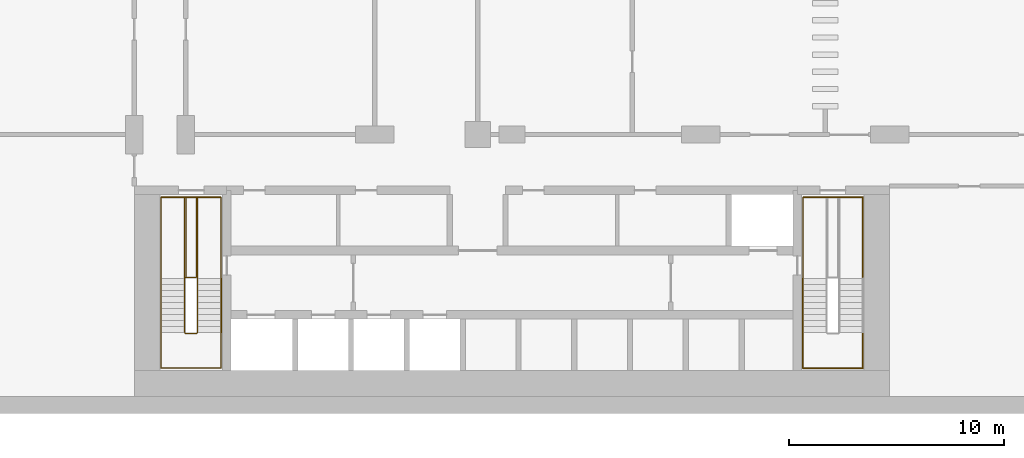
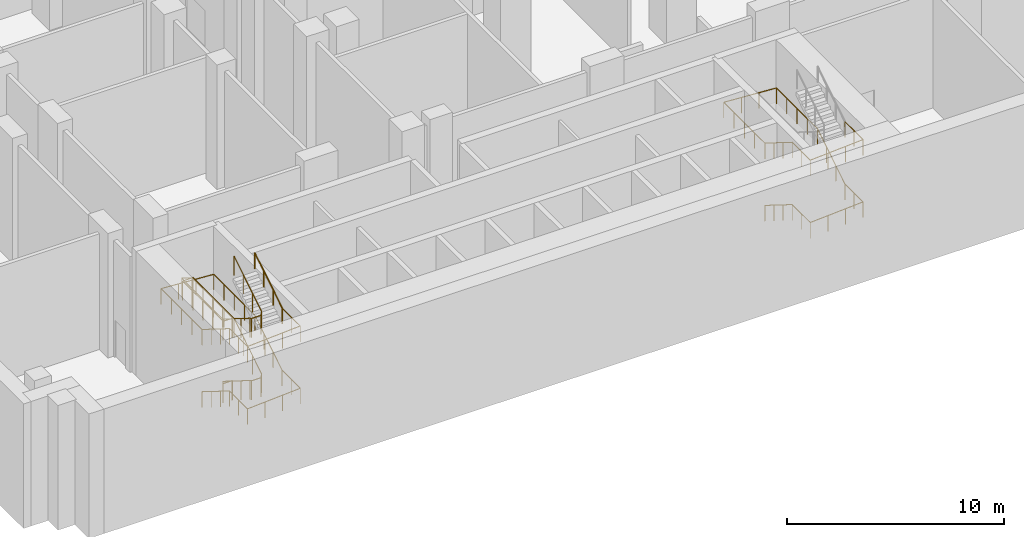
# One storey, part 11 of 15: 6 railings.
"""IFC4 building model written with IfcOpenShell, lengths in metres."""

from ifc_helpers import new_model, si_unit, direction, frame, origin, origin_2d, place, context, subcontext, project, spatial, circle, extrude, material, type_object, element, save


model = new_model("IFC4")

# Units and contexts
model_context = context("Model", 3, precision=1e-05, world=origin(), true_north=direction((0.0, 1.0)))
body_context = subcontext(model_context, "Body", "Model", "MODEL_VIEW")
ifc_project = project(units=[si_unit("LENGTHUNIT", "METRE"), si_unit("AREAUNIT", "SQUARE_METRE"), si_unit("VOLUMEUNIT", "CUBIC_METRE"), si_unit("PLANEANGLEUNIT", "RADIAN"), si_unit("MASSUNIT", "GRAM", prefix="KILO")], contexts=[model_context])

# Site, building, storey
site_placement = place(None, origin())
site = spatial("IfcSite", under=ifc_project, at=site_placement, CompositionType="ELEMENT")
building_placement = place(site_placement, origin())
building = spatial("IfcBuilding", under=site, at=building_placement, Name="Kemantara Hotel Tower", CompositionType="ELEMENT")
storey_placement = place(building_placement, frame((0.0, 0.0, -7.0)))
storey = spatial("IfcBuildingStorey", under=building, at=storey_placement, Name="B1", CompositionType="ELEMENT", Elevation=-7.0)

# Railings
ifc_material = material(Name="Stainless steel balustrade", Category="steel")
railing_type_1 = type_object("IfcRailingType", Name="Stair guard 1100 mm", PredefinedType="GUARDRAIL", material=ifc_material)
railing_1_placement = place(storey_placement, frame((12.75, 5.5, 7.0)))
element("IfcRailing", 1, at=railing_1_placement, inside=storey, type_object=railing_type_1, Name="B1 ST1 stair guard 1", PredefinedType="GUARDRAIL", context=body_context, shape_type="SweptSolid", body=[
    extrude(circle(Radius=0.02392578125, at=origin_2d()), frame((0.0, 0.0, 1.076171875), z_axis=(0.0, -0.848007534815, -0.529984170421), x_axis=(1.0, 0.0, 0.0)), (0.0, 0.0, 1.0), 2.9716796875),
    extrude(circle(Radius=0.02392578125, at=origin_2d()), frame((0.0, -2.52001953125, -0.4990234375), z_axis=(-0.265065253269, -0.265065253269, -0.927081885822), x_axis=(0.707106781187, -0.707106781187, 0.0)), (0.0, 0.0, 1.0), 0.188720703125),
    extrude(circle(Radius=0.02392578125, at=origin_2d()), frame((-0.050048828125, -2.570068359375, -0.673828125), z_axis=(-1.0, 0.0, 0.0), x_axis=(0.0, -1.0, 0.0)), (0.0, 0.0, 1.0), 0.5),
    extrude(circle(Radius=0.02392578125, at=origin_2d()), frame((-0.550048828125, -2.570068359375, -0.673828125), z_axis=(-0.707106781187, 0.707106781187, 0.0), x_axis=(-0.707106781187, -0.707106781187, 0.0)), (0.0, 0.0, 1.0), 0.07080078125),
    extrude(circle(Radius=0.02392578125, at=origin_2d()), frame((-0.60009765625, -2.52001953125, -0.673828125), z_axis=(0.0, 0.848007534815, -0.529984170421), x_axis=(-1.0, 0.0, 0.0)), (0.0, 0.0, 1.0), 2.9716796875),
    extrude(circle(Radius=0.02392578125, at=origin_2d()), frame((-0.60009765625, 0.0, -2.2490234375), z_axis=(0.0, 1.0, 0.0), x_axis=(-1.0, 0.0, 0.0)), (0.0, 0.0, 1.0), 3.780029296875),
    extrude(circle(Radius=0.02392578125, at=origin_2d()), frame((-0.60009765625, 3.780029296875, -2.2490234375), z_axis=(0.952909114454, 0.0, -0.303256029766), x_axis=(0.0, 1.0, 0.0)), (0.0, 0.0, 1.0), 0.5771484375),
    extrude(circle(Radius=0.02392578125, at=origin_2d()), frame((-0.050048828125, 3.780029296875, -2.423828125), z_axis=(0.0, -1.0, 0.0), x_axis=(1.0, 0.0, 0.0)), (0.0, 0.0, 1.0), 3.72998046875),
    extrude(circle(Radius=0.02392578125, at=origin_2d()), frame((-0.050048828125, 0.050048828125, -2.423828125), z_axis=(-1.0, 0.0, 0.0), x_axis=(0.0, -1.0, 0.0)), (0.0, 0.0, 1.0), 0.5),
    extrude(circle(Radius=0.02392578125, at=origin_2d()), frame((-0.550048828125, 0.050048828125, -2.423828125), z_axis=(0.0, 1.0, 0.0), x_axis=(-1.0, 0.0, 0.0)), (0.0, 0.0, 1.0), 3.72998046875),
    extrude(circle(Radius=0.02392578125, at=origin_2d()), frame((-0.550048828125, 3.780029296875, -2.423828125), z_axis=(1.0, 0.0, 0.0), x_axis=(0.0, 1.0, 0.0)), (0.0, 0.0, 1.0), 0.550048828125),
    extrude(circle(Radius=0.02392578125, at=origin_2d()), frame((0.0, 3.780029296875, -2.423828125), z_axis=(0.0, -1.0, 0.0), x_axis=(1.0, 0.0, 0.0)), (0.0, 0.0, 1.0), 3.780029296875),
    extrude(circle(Radius=0.02392578125, at=origin_2d()), frame((0.0, 0.0, -2.423828125), z_axis=(0.0, -0.848007534815, -0.529984170421), x_axis=(1.0, 0.0, 0.0)), (0.0, 0.0, 1.0), 2.9716796875),
    extrude(circle(Radius=0.02392578125, at=origin_2d()), frame((0.0, -2.52001953125, -3.9990234375), z_axis=(-0.265065253269, -0.265065253269, -0.927081885822), x_axis=(0.707106781187, -0.707106781187, 0.0)), (0.0, 0.0, 1.0), 0.188720703125),
    extrude(circle(Radius=0.02392578125, at=origin_2d()), frame((-0.050048828125, -2.570068359375, -4.173828125), z_axis=(-1.0, 0.0, 0.0), x_axis=(0.0, -1.0, 0.0)), (0.0, 0.0, 1.0), 0.5),
    extrude(circle(Radius=0.02392578125, at=origin_2d()), frame((-0.550048828125, -2.570068359375, -4.173828125), z_axis=(-0.707106781187, 0.707106781187, 0.0), x_axis=(-0.707106781187, -0.707106781187, 0.0)), (0.0, 0.0, 1.0), 0.07080078125),
    extrude(circle(Radius=0.02392578125, at=origin_2d()), frame((-0.60009765625, -2.52001953125, -4.173828125), z_axis=(0.0, 0.848007534815, -0.529984170421), x_axis=(-1.0, 0.0, 0.0)), (0.0, 0.0, 1.0), 2.9716796875),
    extrude(circle(Radius=0.02392578125, at=origin_2d()), frame((-0.60009765625, 0.0, -5.7490234375), z_axis=(0.265065253269, 0.265065253269, -0.927081885822), x_axis=(-0.707106781187, 0.707106781187, 0.0)), (0.0, 0.0, 1.0), 0.188720703125),
    extrude(circle(Radius=0.02392578125, at=origin_2d()), frame((-0.550048828125, 0.050048828125, -5.923828125), z_axis=(1.0, 0.0, 0.0), x_axis=(0.0, 1.0, 0.0)), (0.0, 0.0, 1.0), 0.5),
    extrude(circle(Radius=0.02099609375, at=origin_2d()), origin(), (0.0, 0.0, 1.0), 1.052001953125),
    extrude(circle(Radius=0.02099609375, at=origin_2d()), frame((0.0, -0.840087890625, -0.52490234375)), (0.0, 0.0, 1.0), 1.052001953125),
    extrude(circle(Radius=0.02099609375, at=origin_2d()), frame((0.0, -1.679931640625, -1.050048828125)), (0.0, 0.0, 1.0), 1.052001953125),
    extrude(circle(Radius=0.02099609375, at=origin_2d()), frame((0.0, -2.52001953125, -1.574951171875)), (0.0, 0.0, 1.0), 1.052001953125),
    extrude(circle(Radius=0.02099609375, at=origin_2d()), frame((-0.050048828125, -2.570068359375, -1.75)), (0.0, 0.0, 1.0), 1.052001953125),
    extrude(circle(Radius=0.02099609375, at=origin_2d()), frame((-0.550048828125, -2.570068359375, -1.75)), (0.0, 0.0, 1.0), 1.052001953125),
    extrude(circle(Radius=0.02099609375, at=origin_2d()), frame((-0.60009765625, -2.52001953125, -1.75)), (0.0, 0.0, 1.0), 1.052001953125),
    extrude(circle(Radius=0.02099609375, at=origin_2d()), frame((-0.60009765625, -1.679931640625, -2.27490234375)), (0.0, 0.0, 1.0), 1.052001953125),
    extrude(circle(Radius=0.02099609375, at=origin_2d()), frame((-0.60009765625, -0.840087890625, -2.800048828125)), (0.0, 0.0, 1.0), 1.052001953125),
    extrude(circle(Radius=0.02099609375, at=origin_2d()), frame((-0.60009765625, 0.0, -3.324951171875)), (0.0, 0.0, 1.0), 1.052001953125),
    extrude(circle(Radius=0.02099609375, at=origin_2d()), frame((-0.60009765625, 0.945068359375, -3.324951171875)), (0.0, 0.0, 1.0), 1.052001953125),
    extrude(circle(Radius=0.02099609375, at=origin_2d()), frame((-0.60009765625, 1.89013671875, -3.324951171875)), (0.0, 0.0, 1.0), 1.052001953125),
    extrude(circle(Radius=0.02099609375, at=origin_2d()), frame((-0.60009765625, 2.8349609375, -3.324951171875)), (0.0, 0.0, 1.0), 1.052001953125),
    extrude(circle(Radius=0.02099609375, at=origin_2d()), frame((-0.60009765625, 3.780029296875, -3.324951171875)), (0.0, 0.0, 1.0), 1.052001953125),
    extrude(circle(Radius=0.02099609375, at=origin_2d()), frame((-0.050048828125, 3.780029296875, -3.5)), (0.0, 0.0, 1.0), 1.052001953125),
    extrude(circle(Radius=0.02099609375, at=origin_2d()), frame((-0.050048828125, 2.84765625, -3.5)), (0.0, 0.0, 1.0), 1.052001953125),
    extrude(circle(Radius=0.02099609375, at=origin_2d()), frame((-0.050048828125, 1.9150390625, -3.5)), (0.0, 0.0, 1.0), 1.052001953125),
    extrude(circle(Radius=0.02099609375, at=origin_2d()), frame((-0.050048828125, 0.982421875, -3.5)), (0.0, 0.0, 1.0), 1.052001953125),
    extrude(circle(Radius=0.02099609375, at=origin_2d()), frame((-0.050048828125, 0.050048828125, -3.5)), (0.0, 0.0, 1.0), 1.052001953125),
    extrude(circle(Radius=0.02099609375, at=origin_2d()), frame((-0.550048828125, 0.050048828125, -3.5)), (0.0, 0.0, 1.0), 1.052001953125),
    extrude(circle(Radius=0.02099609375, at=origin_2d()), frame((-0.550048828125, 0.982421875, -3.5)), (0.0, 0.0, 1.0), 1.052001953125),
    extrude(circle(Radius=0.02099609375, at=origin_2d()), frame((-0.550048828125, 1.9150390625, -3.5)), (0.0, 0.0, 1.0), 1.052001953125),
    extrude(circle(Radius=0.02099609375, at=origin_2d()), frame((-0.550048828125, 2.84765625, -3.5)), (0.0, 0.0, 1.0), 1.052001953125),
    extrude(circle(Radius=0.02099609375, at=origin_2d()), frame((-0.550048828125, 3.780029296875, -3.5)), (0.0, 0.0, 1.0), 1.052001953125),
    extrude(circle(Radius=0.02099609375, at=origin_2d()), frame((0.0, 3.780029296875, -3.5)), (0.0, 0.0, 1.0), 1.052001953125),
    extrude(circle(Radius=0.02099609375, at=origin_2d()), frame((0.0, 2.8349609375, -3.5)), (0.0, 0.0, 1.0), 1.052001953125),
    extrude(circle(Radius=0.02099609375, at=origin_2d()), frame((0.0, 1.89013671875, -3.5)), (0.0, 0.0, 1.0), 1.052001953125),
    extrude(circle(Radius=0.02099609375, at=origin_2d()), frame((0.0, 0.945068359375, -3.5)), (0.0, 0.0, 1.0), 1.052001953125),
    extrude(circle(Radius=0.02099609375, at=origin_2d()), frame((0.0, 0.0, -3.5)), (0.0, 0.0, 1.0), 1.052001953125),
    extrude(circle(Radius=0.02099609375, at=origin_2d()), frame((0.0, -0.840087890625, -4.02490234375)), (0.0, 0.0, 1.0), 1.052001953125),
    extrude(circle(Radius=0.02099609375, at=origin_2d()), frame((0.0, -1.679931640625, -4.550048828125)), (0.0, 0.0, 1.0), 1.052001953125),
    extrude(circle(Radius=0.02099609375, at=origin_2d()), frame((0.0, -2.52001953125, -5.074951171875)), (0.0, 0.0, 1.0), 1.052001953125),
    extrude(circle(Radius=0.02099609375, at=origin_2d()), frame((-0.050048828125, -2.570068359375, -5.25)), (0.0, 0.0, 1.0), 1.052001953125),
    extrude(circle(Radius=0.02099609375, at=origin_2d()), frame((-0.550048828125, -2.570068359375, -5.25)), (0.0, 0.0, 1.0), 1.052001953125),
    extrude(circle(Radius=0.02099609375, at=origin_2d()), frame((-0.60009765625, -2.52001953125, -5.25)), (0.0, 0.0, 1.0), 1.052001953125),
    extrude(circle(Radius=0.02099609375, at=origin_2d()), frame((-0.60009765625, -1.679931640625, -5.77490234375)), (0.0, 0.0, 1.0), 1.052001953125),
    extrude(circle(Radius=0.02099609375, at=origin_2d()), frame((-0.60009765625, -0.840087890625, -6.300048828125)), (0.0, 0.0, 1.0), 1.052001953125),
    extrude(circle(Radius=0.02099609375, at=origin_2d()), frame((-0.60009765625, 0.0, -6.824951171875)), (0.0, 0.0, 1.0), 1.052001953125),
    extrude(circle(Radius=0.02099609375, at=origin_2d()), frame((-0.550048828125, 0.050048828125, -7.0)), (0.0, 0.0, 1.0), 1.052001953125),
    extrude(circle(Radius=0.02099609375, at=origin_2d()), frame((-0.050048828125, 0.050048828125, -7.0)), (0.0, 0.0, 1.0), 1.052001953125),
])
railing_type_2 = type_object("IfcRailingType", Name="Stair handrail 900 mm", PredefinedType="HANDRAIL", material=ifc_material)
railing_2_placement = place(storey_placement, frame((11.050048828125, 5.5, 0.175048828125)))
element("IfcRailing", 2, at=railing_2_placement, inside=storey, type_object=railing_type_2, Name="B1 ST1 stair handrail 1", PredefinedType="HANDRAIL", context=body_context, shape_type="SweptSolid", body=[
    extrude(circle(Radius=0.02392578125, at=origin_2d()), frame((0.0, 0.0, 0.8759765625), z_axis=(0.0, -0.848007534815, 0.529984170421), x_axis=(1.0, 0.0, 0.0)), (0.0, 0.0, 1.0), 2.9716796875),
    extrude(circle(Radius=0.02392578125, at=origin_2d()), frame((0.0, -2.52001953125, 2.45068359375), z_axis=(0.0, -1.0, 0.0), x_axis=(1.0, 0.0, 0.0)), (0.0, 0.0, 1.0), 1.659912109375),
    extrude(circle(Radius=0.02392578125, at=origin_2d()), frame((0.0, -4.179931640625, 2.45068359375), z_axis=(0.998051562533, 0.0, 0.062394539222), x_axis=(0.0, 1.0, 0.0)), (0.0, 0.0, 1.0), 2.805419921875),
    extrude(circle(Radius=0.02392578125, at=origin_2d()), frame((2.800048828125, -4.179931640625, 2.6259765625), z_axis=(0.0, 1.0, 0.0), x_axis=(-1.0, 0.0, 0.0)), (0.0, 0.0, 1.0), 1.659912109375),
    extrude(circle(Radius=0.02392578125, at=origin_2d()), frame((2.800048828125, -2.52001953125, 2.6259765625), z_axis=(0.0, 0.848007534815, 0.529984170421), x_axis=(-1.0, 0.0, 0.0)), (0.0, 0.0, 1.0), 2.9716796875),
    extrude(circle(Radius=0.02099609375, at=origin_2d()), origin(), (0.0, 0.0, 1.0), 0.851806640625),
    extrude(circle(Radius=0.02099609375, at=origin_2d()), frame((0.0, -0.840087890625, 0.52490234375)), (0.0, 0.0, 1.0), 0.851806640625),
    extrude(circle(Radius=0.02099609375, at=origin_2d()), frame((0.0, -1.679931640625, 1.050048828125)), (0.0, 0.0, 1.0), 0.851806640625),
    extrude(circle(Radius=0.02099609375, at=origin_2d()), frame((0.0, -2.52001953125, 1.574951171875)), (0.0, 0.0, 1.0), 0.851806640625),
    extrude(circle(Radius=0.02099609375, at=origin_2d()), frame((0.0, -3.35009765625, 1.574951171875)), (0.0, 0.0, 1.0), 0.851806640625),
    extrude(circle(Radius=0.02099609375, at=origin_2d()), frame((0.0, -4.179931640625, 1.574951171875)), (0.0, 0.0, 1.0), 0.851806640625),
    extrude(circle(Radius=0.02099609375, at=origin_2d()), frame((0.933349609375, -4.179931640625, 1.63330078125)), (0.0, 0.0, 1.0), 0.851806640625),
    extrude(circle(Radius=0.02099609375, at=origin_2d()), frame((1.86669921875, -4.179931640625, 1.691650390625)), (0.0, 0.0, 1.0), 0.851806640625),
    extrude(circle(Radius=0.02099609375, at=origin_2d()), frame((2.800048828125, -4.179931640625, 1.75)), (0.0, 0.0, 1.0), 0.851806640625),
    extrude(circle(Radius=0.02099609375, at=origin_2d()), frame((2.800048828125, -3.35009765625, 1.75)), (0.0, 0.0, 1.0), 0.851806640625),
    extrude(circle(Radius=0.02099609375, at=origin_2d()), frame((2.800048828125, -2.52001953125, 1.75)), (0.0, 0.0, 1.0), 0.851806640625),
    extrude(circle(Radius=0.02099609375, at=origin_2d()), frame((2.800048828125, -1.679931640625, 2.27490234375)), (0.0, 0.0, 1.0), 0.851806640625),
    extrude(circle(Radius=0.02099609375, at=origin_2d()), frame((2.800048828125, -0.840087890625, 2.800048828125)), (0.0, 0.0, 1.0), 0.851806640625),
    extrude(circle(Radius=0.02099609375, at=origin_2d()), frame((2.800048828125, 0.0, 3.324951171875)), (0.0, 0.0, 1.0), 0.851806640625),
])
railing_3_placement = place(storey_placement, frame((13.85009765625, 5.5, 3.5)))
element("IfcRailing", 3, at=railing_3_placement, inside=storey, type_object=railing_type_2, Name="B1 ST1 stair handrail 2", PredefinedType="HANDRAIL", context=body_context, shape_type="SweptSolid", body=[
    extrude(circle(Radius=0.02392578125, at=origin_2d()), frame((0.0, 0.0, 0.8759765625), z_axis=(0.0, 1.0, 0.0), x_axis=(-1.0, 0.0, 0.0)), (0.0, 0.0, 1.0), 3.780029296875),
    extrude(circle(Radius=0.02392578125, at=origin_2d()), frame((0.0, 3.780029296875, 0.8759765625), z_axis=(-0.998051562533, 0.0, 0.062394539222), x_axis=(0.0, -1.0, 0.0)), (0.0, 0.0, 1.0), 2.805419921875),
    extrude(circle(Radius=0.02392578125, at=origin_2d()), frame((-2.800048828125, 3.780029296875, 1.05078125), z_axis=(0.0, -1.0, 0.0), x_axis=(1.0, 0.0, 0.0)), (0.0, 0.0, 1.0), 3.780029296875),
    extrude(circle(Radius=0.02392578125, at=origin_2d()), frame((-2.800048828125, 0.0, 1.05078125), z_axis=(0.0, -0.848007534815, 0.529984170421), x_axis=(1.0, 0.0, 0.0)), (0.0, 0.0, 1.0), 2.9716796875),
    extrude(circle(Radius=0.02392578125, at=origin_2d()), frame((-2.800048828125, -2.52001953125, 2.6259765625), z_axis=(0.0, -1.0, 0.0), x_axis=(1.0, 0.0, 0.0)), (0.0, 0.0, 1.0), 1.659912109375),
    extrude(circle(Radius=0.02392578125, at=origin_2d()), frame((-2.800048828125, -4.179931640625, 2.6259765625), z_axis=(0.998051562533, 0.0, 0.062394539222), x_axis=(0.0, 1.0, 0.0)), (0.0, 0.0, 1.0), 2.805419921875),
    extrude(circle(Radius=0.02392578125, at=origin_2d()), frame((0.0, -4.179931640625, 2.80078125), z_axis=(0.0, 1.0, 0.0), x_axis=(-1.0, 0.0, 0.0)), (0.0, 0.0, 1.0), 1.659912109375),
    extrude(circle(Radius=0.02099609375, at=origin_2d()), origin(), (0.0, 0.0, 1.0), 0.851806640625),
    extrude(circle(Radius=0.02099609375, at=origin_2d()), frame((0.0, 0.945068359375, 0.0)), (0.0, 0.0, 1.0), 0.851806640625),
    extrude(circle(Radius=0.02099609375, at=origin_2d()), frame((0.0, 1.89013671875, 0.0)), (0.0, 0.0, 1.0), 0.851806640625),
    extrude(circle(Radius=0.02099609375, at=origin_2d()), frame((0.0, 2.8349609375, 0.0)), (0.0, 0.0, 1.0), 0.851806640625),
    extrude(circle(Radius=0.02099609375, at=origin_2d()), frame((0.0, 3.780029296875, 0.0)), (0.0, 0.0, 1.0), 0.851806640625),
    extrude(circle(Radius=0.02099609375, at=origin_2d()), frame((-0.933349609375, 3.780029296875, 0.058349609375)), (0.0, 0.0, 1.0), 0.851806640625),
    extrude(circle(Radius=0.02099609375, at=origin_2d()), frame((-1.86669921875, 3.780029296875, 0.11669921875)), (0.0, 0.0, 1.0), 0.851806640625),
    extrude(circle(Radius=0.02099609375, at=origin_2d()), frame((-2.800048828125, 3.780029296875, 0.175048828125)), (0.0, 0.0, 1.0), 0.851806640625),
    extrude(circle(Radius=0.02099609375, at=origin_2d()), frame((-2.800048828125, 2.8349609375, 0.175048828125)), (0.0, 0.0, 1.0), 0.851806640625),
    extrude(circle(Radius=0.02099609375, at=origin_2d()), frame((-2.800048828125, 1.89013671875, 0.175048828125)), (0.0, 0.0, 1.0), 0.851806640625),
    extrude(circle(Radius=0.02099609375, at=origin_2d()), frame((-2.800048828125, 0.945068359375, 0.175048828125)), (0.0, 0.0, 1.0), 0.851806640625),
    extrude(circle(Radius=0.02099609375, at=origin_2d()), frame((-2.800048828125, 0.0, 0.175048828125)), (0.0, 0.0, 1.0), 0.851806640625),
    extrude(circle(Radius=0.02099609375, at=origin_2d()), frame((-2.800048828125, -0.840087890625, 0.699951171875)), (0.0, 0.0, 1.0), 0.851806640625),
    extrude(circle(Radius=0.02099609375, at=origin_2d()), frame((-2.800048828125, -1.679931640625, 1.22509765625)), (0.0, 0.0, 1.0), 0.851806640625),
    extrude(circle(Radius=0.02099609375, at=origin_2d()), frame((-2.800048828125, -2.52001953125, 1.75)), (0.0, 0.0, 1.0), 0.851806640625),
    extrude(circle(Radius=0.02099609375, at=origin_2d()), frame((-2.800048828125, -3.35009765625, 1.75)), (0.0, 0.0, 1.0), 0.851806640625),
    extrude(circle(Radius=0.02099609375, at=origin_2d()), frame((-2.800048828125, -4.179931640625, 1.75)), (0.0, 0.0, 1.0), 0.851806640625),
    extrude(circle(Radius=0.02099609375, at=origin_2d()), frame((-1.86669921875, -4.179931640625, 1.808349609375)), (0.0, 0.0, 1.0), 0.851806640625),
    extrude(circle(Radius=0.02099609375, at=origin_2d()), frame((-0.933349609375, -4.179931640625, 1.86669921875)), (0.0, 0.0, 1.0), 0.851806640625),
    extrude(circle(Radius=0.02099609375, at=origin_2d()), frame((0.0, -4.179931640625, 1.925048828125)), (0.0, 0.0, 1.0), 0.851806640625),
    extrude(circle(Radius=0.02099609375, at=origin_2d()), frame((0.0, -3.35009765625, 1.925048828125)), (0.0, 0.0, 1.0), 0.851806640625),
    extrude(circle(Radius=0.02099609375, at=origin_2d()), frame((0.0, -2.52001953125, 1.925048828125)), (0.0, 0.0, 1.0), 0.851806640625),
])
railing_4_placement = place(storey_placement, frame((13.85009765625, 2.97998046875, 5.425048828125)))
element("IfcRailing", 4, at=railing_4_placement, inside=storey, type_object=railing_type_2, Name="B1 ST1 stair handrail 3", PredefinedType="HANDRAIL", context=body_context, shape_type="SweptSolid", body=[
    extrude(circle(Radius=0.02392578125, at=origin_2d()), frame((0.0, 0.0, 0.8759765625), z_axis=(0.0, 0.848007534815, 0.529984170421), x_axis=(-1.0, 0.0, 0.0)), (0.0, 0.0, 1.0), 2.9716796875),
    extrude(circle(Radius=0.02099609375, at=origin_2d()), origin(), (0.0, 0.0, 1.0), 0.851806640625),
    extrude(circle(Radius=0.02099609375, at=origin_2d()), frame((0.0, 0.840087890625, 0.52490234375)), (0.0, 0.0, 1.0), 0.851806640625),
    extrude(circle(Radius=0.02099609375, at=origin_2d()), frame((0.0, 1.679931640625, 1.050048828125)), (0.0, 0.0, 1.0), 0.851806640625),
    extrude(circle(Radius=0.02099609375, at=origin_2d()), frame((0.0, 2.52001953125, 1.574951171875)), (0.0, 0.0, 1.0), 0.851806640625),
])
railing_5_placement = place(storey_placement, frame((40.949951171875, 5.5, 0.175048828125)))
element("IfcRailing", 5, at=railing_5_placement, inside=storey, type_object=railing_type_2, Name="B1 ST2 stair handrail 1", PredefinedType="HANDRAIL", context=body_context, shape_type="SweptSolid", body=[
    extrude(circle(Radius=0.02392578125, at=origin_2d()), frame((0.0, 0.0, 0.8759765625), z_axis=(0.0, -0.848007534815, 0.529984170421), x_axis=(1.0, 0.0, 0.0)), (0.0, 0.0, 1.0), 2.9716796875),
    extrude(circle(Radius=0.02392578125, at=origin_2d()), frame((0.0, -2.52001953125, 2.45068359375), z_axis=(0.0, -1.0, 0.0), x_axis=(1.0, 0.0, 0.0)), (0.0, 0.0, 1.0), 1.659912109375),
    extrude(circle(Radius=0.02392578125, at=origin_2d()), frame((0.0, -4.179931640625, 2.45068359375), z_axis=(0.998051562533, 0.0, 0.062394539222), x_axis=(0.0, 1.0, 0.0)), (0.0, 0.0, 1.0), 2.805419921875),
    extrude(circle(Radius=0.02392578125, at=origin_2d()), frame((2.800048828125, -4.179931640625, 2.6259765625), z_axis=(0.0, 1.0, 0.0), x_axis=(-1.0, 0.0, 0.0)), (0.0, 0.0, 1.0), 1.659912109375),
    extrude(circle(Radius=0.02392578125, at=origin_2d()), frame((2.800048828125, -2.52001953125, 2.6259765625), z_axis=(0.0, 0.848007534815, 0.529984170421), x_axis=(-1.0, 0.0, 0.0)), (0.0, 0.0, 1.0), 2.9716796875),
    extrude(circle(Radius=0.02392578125, at=origin_2d()), frame((2.800048828125, 0.0, 4.20068359375), z_axis=(0.0, 1.0, 0.0), x_axis=(-1.0, 0.0, 0.0)), (0.0, 0.0, 1.0), 3.780029296875),
    extrude(circle(Radius=0.02099609375, at=origin_2d()), origin(), (0.0, 0.0, 1.0), 0.851806640625),
    extrude(circle(Radius=0.02099609375, at=origin_2d()), frame((0.0, -0.840087890625, 0.52490234375)), (0.0, 0.0, 1.0), 0.851806640625),
    extrude(circle(Radius=0.02099609375, at=origin_2d()), frame((0.0, -1.679931640625, 1.050048828125)), (0.0, 0.0, 1.0), 0.851806640625),
    extrude(circle(Radius=0.02099609375, at=origin_2d()), frame((0.0, -2.52001953125, 1.574951171875)), (0.0, 0.0, 1.0), 0.851806640625),
    extrude(circle(Radius=0.02099609375, at=origin_2d()), frame((0.0, -3.35009765625, 1.574951171875)), (0.0, 0.0, 1.0), 0.851806640625),
    extrude(circle(Radius=0.02099609375, at=origin_2d()), frame((0.0, -4.179931640625, 1.574951171875)), (0.0, 0.0, 1.0), 0.851806640625),
    extrude(circle(Radius=0.02099609375, at=origin_2d()), frame((0.933349609375, -4.179931640625, 1.63330078125)), (0.0, 0.0, 1.0), 0.851806640625),
    extrude(circle(Radius=0.02099609375, at=origin_2d()), frame((1.86669921875, -4.179931640625, 1.691650390625)), (0.0, 0.0, 1.0), 0.851806640625),
    extrude(circle(Radius=0.02099609375, at=origin_2d()), frame((2.800048828125, -4.179931640625, 1.75)), (0.0, 0.0, 1.0), 0.851806640625),
    extrude(circle(Radius=0.02099609375, at=origin_2d()), frame((2.800048828125, -3.35009765625, 1.75)), (0.0, 0.0, 1.0), 0.851806640625),
    extrude(circle(Radius=0.02099609375, at=origin_2d()), frame((2.800048828125, -2.52001953125, 1.75)), (0.0, 0.0, 1.0), 0.851806640625),
    extrude(circle(Radius=0.02099609375, at=origin_2d()), frame((2.800048828125, -1.679931640625, 2.27490234375)), (0.0, 0.0, 1.0), 0.851806640625),
    extrude(circle(Radius=0.02099609375, at=origin_2d()), frame((2.800048828125, -0.840087890625, 2.800048828125)), (0.0, 0.0, 1.0), 0.851806640625),
    extrude(circle(Radius=0.02099609375, at=origin_2d()), frame((2.800048828125, 0.0, 3.324951171875)), (0.0, 0.0, 1.0), 0.851806640625),
    extrude(circle(Radius=0.02099609375, at=origin_2d()), frame((2.800048828125, 0.945068359375, 3.324951171875)), (0.0, 0.0, 1.0), 0.851806640625),
    extrude(circle(Radius=0.02099609375, at=origin_2d()), frame((2.800048828125, 1.89013671875, 3.324951171875)), (0.0, 0.0, 1.0), 0.851806640625),
    extrude(circle(Radius=0.02099609375, at=origin_2d()), frame((2.800048828125, 2.8349609375, 3.324951171875)), (0.0, 0.0, 1.0), 0.851806640625),
    extrude(circle(Radius=0.02099609375, at=origin_2d()), frame((2.800048828125, 3.780029296875, 3.324951171875)), (0.0, 0.0, 1.0), 0.851806640625),
])
railing_6_placement = place(storey_placement, frame((43.75, 9.280029296875, 3.5)))
element("IfcRailing", 6, at=railing_6_placement, inside=storey, type_object=railing_type_2, Name="B1 ST2 stair handrail 2", PredefinedType="HANDRAIL", context=body_context, shape_type="SweptSolid", body=[
    extrude(circle(Radius=0.02392578125, at=origin_2d()), frame((0.0, 0.0, 0.8759765625), z_axis=(-0.998051562533, 0.0, 0.062394539222), x_axis=(0.0, -1.0, 0.0)), (0.0, 0.0, 1.0), 2.805419921875),
    extrude(circle(Radius=0.02392578125, at=origin_2d()), frame((-2.800048828125, 0.0, 1.05078125), z_axis=(0.0, -1.0, 0.0), x_axis=(1.0, 0.0, 0.0)), (0.0, 0.0, 1.0), 3.780029296875),
    extrude(circle(Radius=0.02392578125, at=origin_2d()), frame((-2.800048828125, -3.780029296875, 1.05078125), z_axis=(0.0, -0.848007534815, 0.529984170421), x_axis=(1.0, 0.0, 0.0)), (0.0, 0.0, 1.0), 2.9716796875),
    extrude(circle(Radius=0.02392578125, at=origin_2d()), frame((-2.800048828125, -6.300048828125, 2.6259765625), z_axis=(0.0, -1.0, 0.0), x_axis=(1.0, 0.0, 0.0)), (0.0, 0.0, 1.0), 1.659912109375),
    extrude(circle(Radius=0.02392578125, at=origin_2d()), frame((-2.800048828125, -7.9599609375, 2.6259765625), z_axis=(0.998051562533, 0.0, 0.062394539222), x_axis=(0.0, 1.0, 0.0)), (0.0, 0.0, 1.0), 2.805419921875),
    extrude(circle(Radius=0.02392578125, at=origin_2d()), frame((0.0, -7.9599609375, 2.80078125), z_axis=(0.0, 1.0, 0.0), x_axis=(-1.0, 0.0, 0.0)), (0.0, 0.0, 1.0), 1.659912109375),
    extrude(circle(Radius=0.02099609375, at=origin_2d()), origin(), (0.0, 0.0, 1.0), 0.851806640625),
    extrude(circle(Radius=0.02099609375, at=origin_2d()), frame((-0.933349609375, 0.0, 0.058349609375)), (0.0, 0.0, 1.0), 0.851806640625),
    extrude(circle(Radius=0.02099609375, at=origin_2d()), frame((-1.86669921875, 0.0, 0.11669921875)), (0.0, 0.0, 1.0), 0.851806640625),
    extrude(circle(Radius=0.02099609375, at=origin_2d()), frame((-2.800048828125, 0.0, 0.175048828125)), (0.0, 0.0, 1.0), 0.851806640625),
    extrude(circle(Radius=0.02099609375, at=origin_2d()), frame((-2.800048828125, -0.945068359375, 0.175048828125)), (0.0, 0.0, 1.0), 0.851806640625),
    extrude(circle(Radius=0.02099609375, at=origin_2d()), frame((-2.800048828125, -1.89013671875, 0.175048828125)), (0.0, 0.0, 1.0), 0.851806640625),
    extrude(circle(Radius=0.02099609375, at=origin_2d()), frame((-2.800048828125, -2.8349609375, 0.175048828125)), (0.0, 0.0, 1.0), 0.851806640625),
    extrude(circle(Radius=0.02099609375, at=origin_2d()), frame((-2.800048828125, -3.780029296875, 0.175048828125)), (0.0, 0.0, 1.0), 0.851806640625),
    extrude(circle(Radius=0.02099609375, at=origin_2d()), frame((-2.800048828125, -4.6201171875, 0.699951171875)), (0.0, 0.0, 1.0), 0.851806640625),
    extrude(circle(Radius=0.02099609375, at=origin_2d()), frame((-2.800048828125, -5.4599609375, 1.22509765625)), (0.0, 0.0, 1.0), 0.851806640625),
    extrude(circle(Radius=0.02099609375, at=origin_2d()), frame((-2.800048828125, -6.300048828125, 1.75)), (0.0, 0.0, 1.0), 0.851806640625),
    extrude(circle(Radius=0.02099609375, at=origin_2d()), frame((-2.800048828125, -7.1298828125, 1.75)), (0.0, 0.0, 1.0), 0.851806640625),
    extrude(circle(Radius=0.02099609375, at=origin_2d()), frame((-2.800048828125, -7.9599609375, 1.75)), (0.0, 0.0, 1.0), 0.851806640625),
    extrude(circle(Radius=0.02099609375, at=origin_2d()), frame((-1.86669921875, -7.9599609375, 1.808349609375)), (0.0, 0.0, 1.0), 0.851806640625),
    extrude(circle(Radius=0.02099609375, at=origin_2d()), frame((-0.933349609375, -7.9599609375, 1.86669921875)), (0.0, 0.0, 1.0), 0.851806640625),
    extrude(circle(Radius=0.02099609375, at=origin_2d()), frame((0.0, -7.9599609375, 1.925048828125)), (0.0, 0.0, 1.0), 0.851806640625),
    extrude(circle(Radius=0.02099609375, at=origin_2d()), frame((0.0, -7.1298828125, 1.925048828125)), (0.0, 0.0, 1.0), 0.851806640625),
    extrude(circle(Radius=0.02099609375, at=origin_2d()), frame((0.0, -6.300048828125, 1.925048828125)), (0.0, 0.0, 1.0), 0.851806640625),
])

save(model, "model.ifc")
